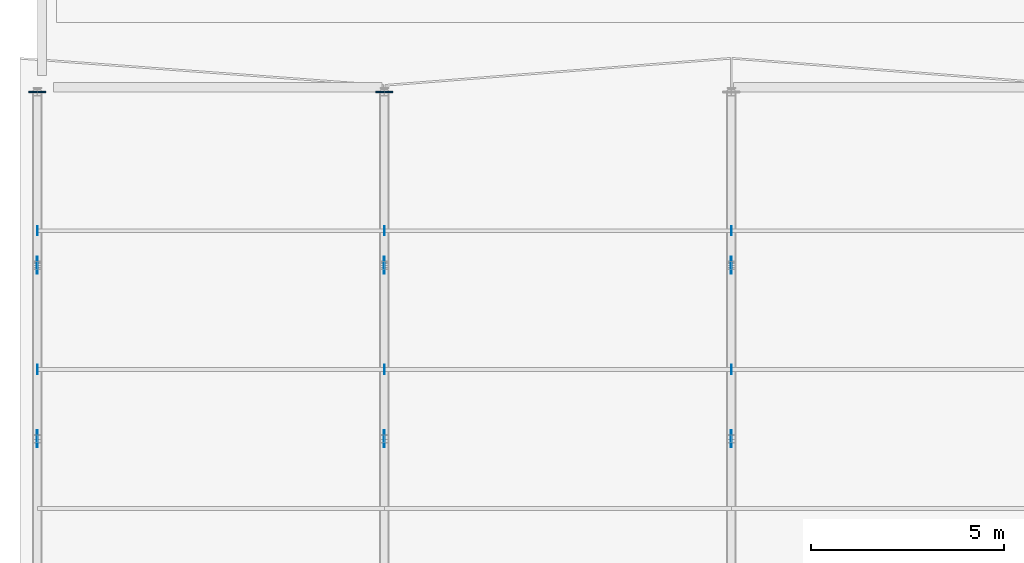
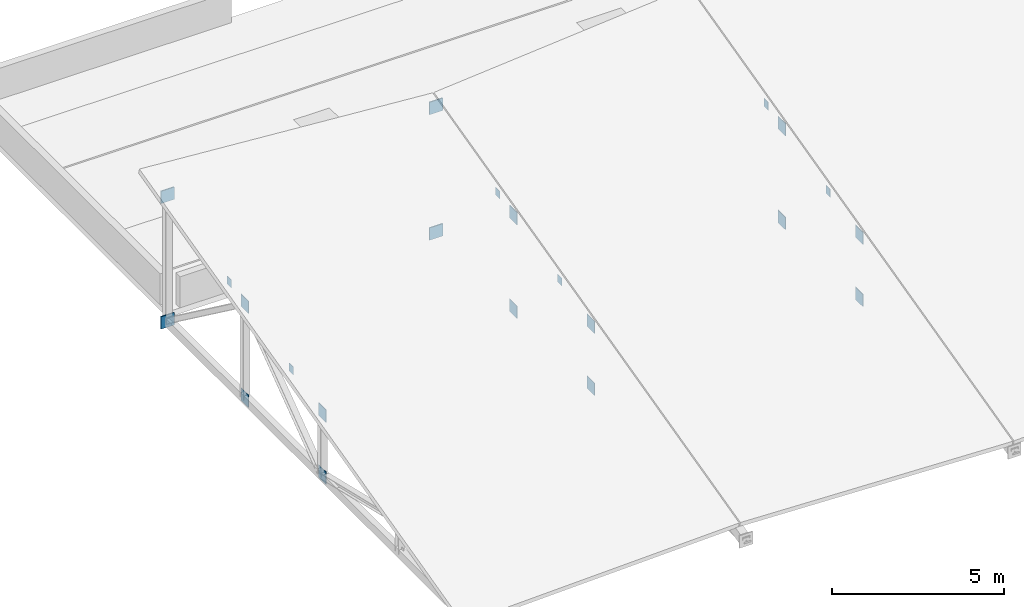
# One storey, part 48 of 67: 22 plates.
"""IFC4 building model written with IfcOpenShell, lengths in metres."""

from ifc_helpers import new_model, si_unit, direction, frame, origin, origin_2d, place, context, subcontext, project, spatial, rectangle, extrude, material, layer, layer_set, type_object, element, save


model = new_model("IFC4")

# Units and contexts
model_context = context("Model", 3, precision=1e-05, world=origin(), true_north=direction((0.0, 1.0)))
body_context = subcontext(model_context, "Body", "Model", "MODEL_VIEW")
ifc_project = project(units=[si_unit("LENGTHUNIT", "METRE"), si_unit("AREAUNIT", "SQUARE_METRE"), si_unit("VOLUMEUNIT", "CUBIC_METRE"), si_unit("PLANEANGLEUNIT", "RADIAN"), si_unit("MASSUNIT", "GRAM", prefix="KILO")], contexts=[model_context])

# Site, building, storey
site_placement = place(None, origin())
site = spatial("IfcSite", under=ifc_project, at=site_placement, CompositionType="ELEMENT")
building_placement = place(site_placement, origin())
building = spatial("IfcBuilding", under=site, at=building_placement, Name="Montelvaro Courts of Justice", CompositionType="ELEMENT")
storey_placement = place(building_placement, frame((0.0, 0.0, 18.89990234375)))
storey = spatial("IfcBuildingStorey", under=building, at=storey_placement, Name="L04", CompositionType="ELEMENT", Elevation=18.89990234375)

# Plates
ifc_material = material(Name="Steel S355", Category="steel")
ifc_layer_1 = layer(ifc_material, 0.011962890625)
ifc_layer_set_1 = layer_set([ifc_layer_1], Name="Steel S355")
plate_type_1 = type_object("IfcPlateType", Name="EndCapPlate_12", PredefinedType="USERDEFINED", material=ifc_layer_set_1)
for number, where, z_axis, x_axis, name in (
    (1, (18.0, 34.800048828125, 2.2099609375), (0.0, 0.0, 1.0), (1.0, 0.0, 0.0), "Purlin End Cap Plate CP-01 01-3M-A"),
    (2, (27.0, 34.800048828125, 2.2099609375), (0.0, 0.0, 1.0), (1.0, 0.0, 0.0), "Purlin End Cap Plate CP-01 01-3M-B"),
    (3, (18.0, 38.39990234375, 3.10986328125), (0.0, 0.0, 1.0), (1.0, 0.0, 0.0), "Purlin End Cap Plate CP-01 01-4M-A"),
    (4, (27.0, 38.39990234375, 3.10986328125), (0.0, 0.0, 1.0), (1.0, 0.0, 0.0), "Purlin End Cap Plate CP-01 01-4M-B"),
    (5, (36.0, 34.800048828125, 2.2099609375), (0.0, 0.0, 1.0), (1.0, 0.0, 0.0), "Purlin End Cap Plate CP-01 02-3M-B"),
    (6, (36.0, 38.39990234375, 3.10986328125), (0.0, 0.0, 1.0), (1.0, 0.0, 0.0), "Purlin End Cap Plate CP-01 02-4M-B"),
):
    element("IfcPlate", number, at=place(storey_placement, frame(where, z_axis=z_axis, x_axis=x_axis)), inside=storey, type_object=plate_type_1, Name=name, ObjectType="GUSSET PLATE", PredefinedType="USERDEFINED", context=body_context, shape_type="SweptSolid", body=[
        extrude(rectangle(XDim=0.011962890625, YDim=0.239990234375, at=origin_2d()), origin(), (0.0, 0.0, 1.0), 0.280029296875),
    ])
ifc_layer_2 = layer(ifc_material, 0.035888671875)
ifc_layer_set_2 = layer_set([ifc_layer_2], Name="Steel S355")
plate_type_2 = type_object("IfcPlateType", Name="EndCapPlate_36", PredefinedType="USERDEFINED", material=ifc_layer_set_2)
for number, where, z_axis, x_axis, name in (
    (7, (18.0, 42.0, -0.519775390625), (0.0, 0.0, 1.0), (1.0, 0.0, 0.0), "Roof Truss End Cap Plate CP-02 ROOF-V3-VTR01-B1"),
    (8, (18.0, 42.0, 3.93017578125), (0.0, 0.0, 1.0), (1.0, 0.0, 0.0), "Roof Truss End Cap Plate CP-02 ROOF-V3-VTR01-T1"),
    (9, (27.0, 42.0, -0.519775390625), (0.0, 0.0, 1.0), (1.0, 0.0, 0.0), "Roof Truss End Cap Plate CP-02 ROOF-V3-VTR02-B1"),
    (10, (27.0, 42.0, 3.93017578125), (0.0, 0.0, 1.0), (1.0, 0.0, 0.0), "Roof Truss End Cap Plate CP-02 ROOF-V3-VTR02-T1"),
):
    element("IfcPlate", number, at=place(storey_placement, frame(where, z_axis=z_axis, x_axis=x_axis)), inside=storey, type_object=plate_type_2, Name=name, ObjectType="GUSSET PLATE", PredefinedType="USERDEFINED", context=body_context, shape_type="SweptSolid", body=[
        extrude(rectangle(XDim=0.43994140625, YDim=0.035888671875, at=origin_2d()), origin(), (0.0, 0.0, 1.0), 0.43994140625),
    ])
ifc_layer_3 = layer(ifc_material, 0.02001953125)
ifc_layer_set_3 = layer_set([ifc_layer_3], Name="Steel S355")
plate_type_3 = type_object("IfcPlateType", Name="GussetPlate_20", PredefinedType="USERDEFINED", material=ifc_layer_set_3)
for number, where, z_axis, x_axis, name in (
    (11, (18.0, 33.0, -0.519775390625), (0.0, 0.0, 1.0), (1.0, 0.0, 0.0), "Roof Truss Gusset Plate GP-01 ROOF-V3-VTR01-2B"),
    (12, (18.0, 33.0, 1.68017578125), (0.0, 0.0, 1.0), (1.0, 0.0, 0.0), "Roof Truss Gusset Plate GP-01 ROOF-V3-VTR01-2T"),
    (13, (18.0, 37.5, -0.519775390625), (0.0, 0.0, 1.0), (1.0, 0.0, 0.0), "Roof Truss Gusset Plate GP-01 ROOF-V3-VTR01-3B"),
    (14, (18.0, 37.5, 2.80517578125), (0.0, 0.0, 1.0), (1.0, 0.0, 0.0), "Roof Truss Gusset Plate GP-01 ROOF-V3-VTR01-3T"),
    (15, (27.0, 33.0, -0.519775390625), (0.0, 0.0, 1.0), (1.0, 0.0, 0.0), "Roof Truss Gusset Plate GP-01 ROOF-V3-VTR02-2B"),
    (16, (27.0, 33.0, 1.68017578125), (0.0, 0.0, 1.0), (1.0, 0.0, 0.0), "Roof Truss Gusset Plate GP-01 ROOF-V3-VTR02-2T"),
    (17, (27.0, 37.5, -0.519775390625), (0.0, 0.0, 1.0), (1.0, 0.0, 0.0), "Roof Truss Gusset Plate GP-01 ROOF-V3-VTR02-3B"),
    (18, (27.0, 37.5, 2.80517578125), (0.0, 0.0, 1.0), (1.0, 0.0, 0.0), "Roof Truss Gusset Plate GP-01 ROOF-V3-VTR02-3T"),
    (19, (36.0, 33.0, -0.519775390625), (0.0, 0.0, 1.0), (1.0, 0.0, 0.0), "Roof Truss Gusset Plate GP-01 ROOF-V3-VTR03-2B"),
    (20, (36.0, 33.0, 1.68017578125), (0.0, 0.0, 1.0), (1.0, 0.0, 0.0), "Roof Truss Gusset Plate GP-01 ROOF-V3-VTR03-2T"),
    (21, (36.0, 37.5, -0.519775390625), (0.0, 0.0, 1.0), (1.0, 0.0, 0.0), "Roof Truss Gusset Plate GP-01 ROOF-V3-VTR03-3B"),
    (22, (36.0, 37.5, 2.80517578125), (0.0, 0.0, 1.0), (1.0, 0.0, 0.0), "Roof Truss Gusset Plate GP-01 ROOF-V3-VTR03-3T"),
):
    element("IfcPlate", number, at=place(storey_placement, frame(where, z_axis=z_axis, x_axis=x_axis)), inside=storey, type_object=plate_type_3, Name=name, ObjectType="GUSSET PLATE", PredefinedType="USERDEFINED", context=body_context, shape_type="SweptSolid", body=[
        extrude(rectangle(XDim=0.02001953125, YDim=0.43994140625, at=origin_2d()), origin(), (0.0, 0.0, 1.0), 0.43994140625),
    ])

save(model, "model.ifc")
